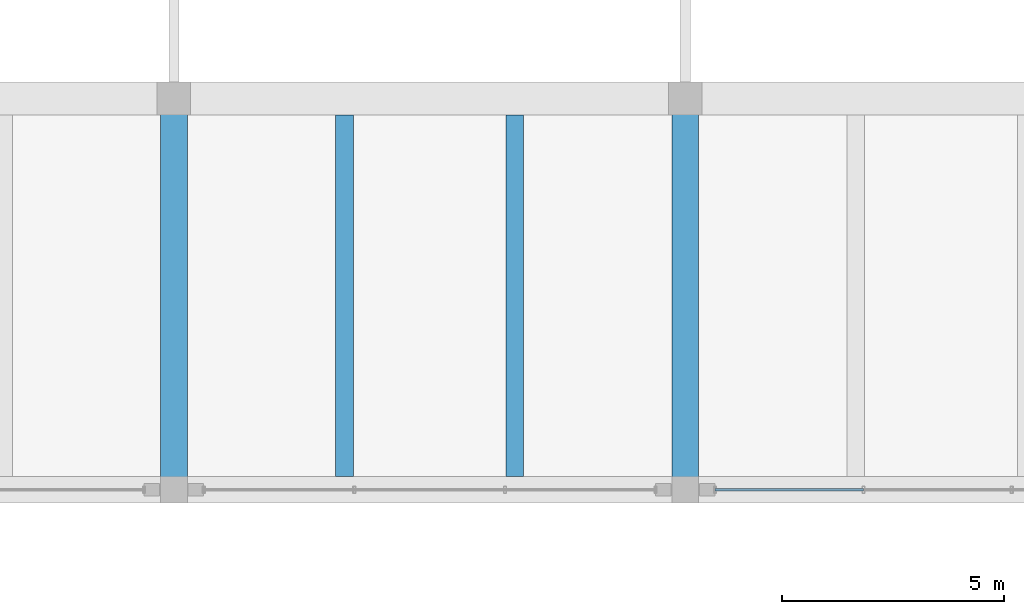
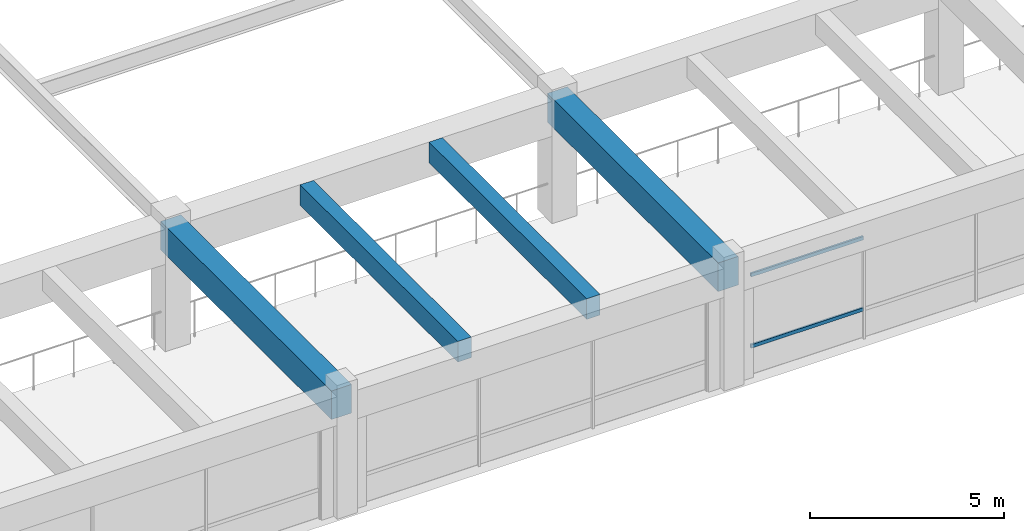
# One storey, part 12 of 98: 4 beams, 2 members, 1 element without a shape of its own.
"""IFC4 building model written with IfcOpenShell, lengths in metres."""

from ifc_helpers import new_model, si_unit, direction, frame, origin, origin_2d, place, context, subcontext, project, spatial, rectangle, hollow_rectangle, extrude, material, material_profile, profile_set, type_object, element, aggregate, save


model = new_model("IFC4")

# Units and contexts
model_context = context("Model", 3, precision=1e-05, world=origin(), true_north=direction((0.0, 1.0)))
body_context = subcontext(model_context, "Body", "Model", "MODEL_VIEW")
ifc_project = project(units=[si_unit("LENGTHUNIT", "METRE"), si_unit("AREAUNIT", "SQUARE_METRE"), si_unit("VOLUMEUNIT", "CUBIC_METRE"), si_unit("PLANEANGLEUNIT", "RADIAN"), si_unit("MASSUNIT", "GRAM", prefix="KILO")], contexts=[model_context])

# Site, building, storey
site_placement = place(None, origin())
site = spatial("IfcSite", under=ifc_project, at=site_placement, CompositionType="ELEMENT")
building_placement = place(site_placement, origin())
building = spatial("IfcBuilding", under=site, at=building_placement, Name="Ologun Quay Terminus", CompositionType="ELEMENT")
storey_placement = place(building_placement, frame((0.0, 0.0, 4.199951171875)))
storey = spatial("IfcBuildingStorey", under=building, at=storey_placement, Name="L01", CompositionType="ELEMENT", Elevation=4.199951171875)

# Curtain wall, members
ifc_material_1 = material(Name="Aluminium 6063-T6", Category="aluminium")
curtain_wall_type = type_object("IfcCurtainWallType", Name="Forecourt Mezzanine Curtain Wall 10700x3850", PredefinedType="USERDEFINED", material=ifc_material_1)
curtain_wall_placement = place(storey_placement, origin())
curtain_wall = element("IfcCurtainWall", 1, at=curtain_wall_placement, inside=storey, type_object=curtain_wall_type, Name="CW-04 Curtain Wall CW-L01-013", ObjectType="UNITISED CURTAIN WALL", PredefinedType="USERDEFINED")
ifc_material_2 = material(Name="Aluminium 6063-T6", Category="aluminium")
ifc_material_profile_1 = material_profile(ifc_material_2, hollow_rectangle(XDim=0.054931640625, YDim=0.110107421875, WallThickness=0.00390625, at=origin_2d()), Name="ALU 110x55x4")
ifc_profile_set_1 = profile_set([ifc_material_profile_1], Name="Aluminium 6063-T6")
member_type = type_object("IfcMemberType", Name="Curtain Wall Standard Transom 110x55", PredefinedType="USERDEFINED", material=ifc_profile_set_1)
member_1_placement = place(storey_placement, frame((46.669921875, 27.199951171875, 0.900146484375), z_axis=(1.0, 0.0, 0.0), x_axis=(0.0, 1.0, 0.0)))
member_1 = element("IfcMember", 2, at=member_1_placement, type_object=member_type, Name="CW-L01-013 Transom B1-1", ObjectType="TRANSOM", PredefinedType="USERDEFINED", context=body_context, shape_type="SweptSolid", body=[
    extrude(hollow_rectangle(XDim=0.054931640625, YDim=0.110107421875, WallThickness=0.00390625, at=origin_2d()), origin(), (0.0, 0.0, 1.0), 3.336669921875),
])
member_2_placement = place(storey_placement, frame((46.669921875, 27.199951171875, 3.14013671875), z_axis=(1.0, 0.0, 0.0), x_axis=(0.0, 1.0, 0.0)))
member_2 = element("IfcMember", 3, at=member_2_placement, type_object=member_type, Name="CW-L01-013 Transom B1-2", ObjectType="TRANSOM", PredefinedType="USERDEFINED", context=body_context, shape_type="SweptSolid", body=[
    extrude(hollow_rectangle(XDim=0.054931640625, YDim=0.110107421875, WallThickness=0.00390625, at=origin_2d()), origin(), (0.0, 0.0, 1.0), 3.336669921875),
])
aggregate(curtain_wall, [member_1, member_2])

# Beams
ifc_material_3 = material(Name="Concrete C40/50", Category="concrete")
ifc_material_profile_2 = material_profile(ifc_material_3, rectangle(XDim=0.60009765625, YDim=0.89990234375, at=origin_2d()), Name="RC 600x900")
ifc_profile_set_2 = profile_set([ifc_material_profile_2], Name="Concrete C40/50")
beam_type_1 = type_object("IfcBeamType", Name="Station Frame Girder 600x900", PredefinedType="BEAM", material=ifc_profile_set_2)
for number, where, z_axis, x_axis, name in (
    (4, (34.5, 27.199951171875, 3.400146484375), (0.0, 1.0, 0.0), (-1.0, 0.0, 0.0), "B3 Beam 4/D L01"),
    (5, (46.0, 27.199951171875, 3.400146484375), (0.0, 1.0, 0.0), (-1.0, 0.0, 0.0), "B3 Beam 5/D L01"),
):
    element("IfcBeam", number, at=place(storey_placement, frame(where, z_axis=z_axis, x_axis=x_axis)), inside=storey, type_object=beam_type_1, Name=name, PredefinedType="BEAM", context=body_context, shape_type="SweptSolid", body=[
        extrude(rectangle(XDim=0.60009765625, YDim=0.89990234375, at=origin_2d()), origin(), (0.0, 0.0, 1.0), 8.800048828125),
    ])
ifc_material_4 = material(Name="Concrete C40/50", Category="concrete")
ifc_material_profile_3 = material_profile(ifc_material_4, rectangle(XDim=0.39990234375, YDim=0.64990234375, at=origin_2d()), Name="RC 400x650")
ifc_profile_set_3 = profile_set([ifc_material_profile_3], Name="Concrete C40/50")
beam_type_2 = type_object("IfcBeamType", Name="Station Secondary Joist 400x650", PredefinedType="JOIST", material=ifc_profile_set_3)
for number, where, z_axis, x_axis, name in (
    (6, (38.333251953125, 27.5, 3.525146484375), (0.0, 1.0, 0.0), (-1.0, 0.0, 0.0), "J1 Beam 4/D L01"),
    (7, (42.166748046875, 27.5, 3.525146484375), (0.0, 1.0, 0.0), (-1.0, 0.0, 0.0), "J1 Beam 4/D L01"),
):
    element("IfcBeam", number, at=place(storey_placement, frame(where, z_axis=z_axis, x_axis=x_axis)), inside=storey, type_object=beam_type_2, Name=name, PredefinedType="JOIST", context=body_context, shape_type="SweptSolid", body=[
        extrude(rectangle(XDim=0.39990234375, YDim=0.64990234375, at=origin_2d()), origin(), (0.0, 0.0, 1.0), 8.125),
    ])

save(model, "model.ifc")
